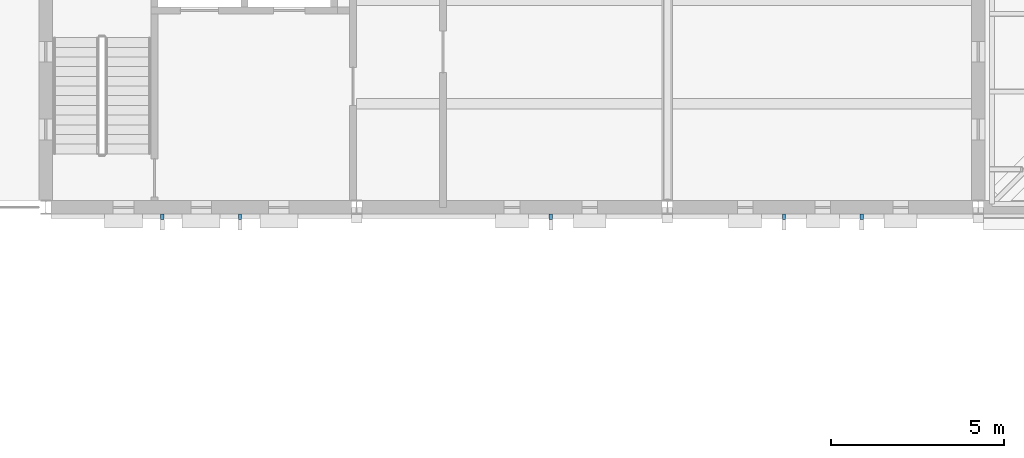
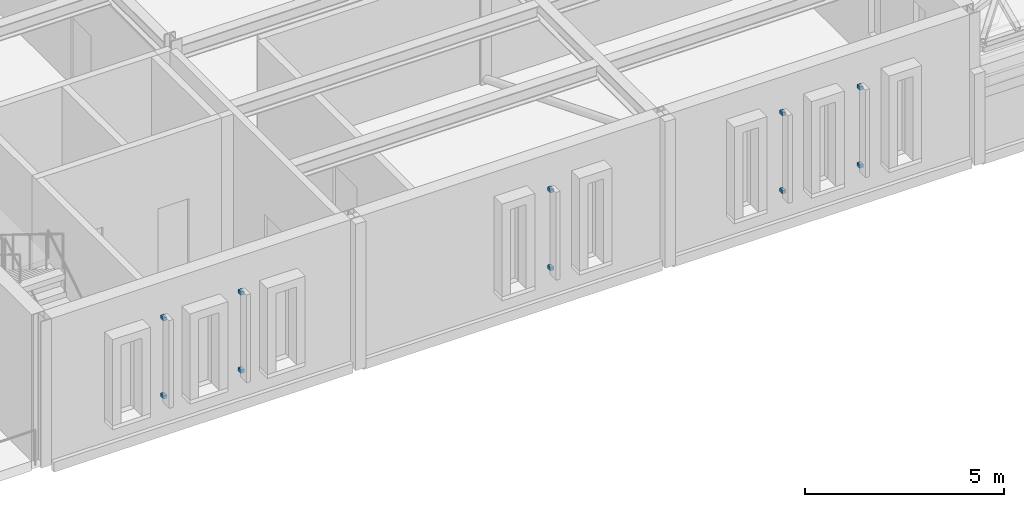
# One storey, part 106 of 149: 10 discrete accessories.
"""IFC4 building model written with IfcOpenShell, lengths in metres."""

from ifc_helpers import new_model, si_unit, direction, frame, origin, origin_2d, place, context, subcontext, project, spatial, rectangle, extrude, material, type_object, element, save


model = new_model("IFC4")

# Units and contexts
model_context = context("Model", 3, precision=1e-05, world=origin(), true_north=direction((0.0, 1.0)))
body_context = subcontext(model_context, "Body", "Model", "MODEL_VIEW")
ifc_project = project(units=[si_unit("LENGTHUNIT", "METRE"), si_unit("AREAUNIT", "SQUARE_METRE"), si_unit("VOLUMEUNIT", "CUBIC_METRE"), si_unit("PLANEANGLEUNIT", "RADIAN"), si_unit("MASSUNIT", "GRAM", prefix="KILO")], contexts=[model_context])

# Site, building, storey
site_placement = place(None, origin())
site = spatial("IfcSite", under=ifc_project, at=site_placement, CompositionType="ELEMENT")
building_placement = place(site_placement, origin())
building = spatial("IfcBuilding", under=site, at=building_placement, Name="Kallimachos Central Library", CompositionType="ELEMENT")
storey_placement = place(building_placement, frame((0.0, 0.0, 9.89990234375)))
storey = spatial("IfcBuildingStorey", under=building, at=storey_placement, Name="L02", CompositionType="ELEMENT", Elevation=9.89990234375)

# Discrete accessories
ifc_material = material(Name="Stainless steel", Category="steel")
discrete_accessory_type = type_object("IfcDiscreteAccessoryType", Name="Fin bracket", PredefinedType="BRACKET", material=ifc_material)
for number, where, z_axis, x_axis, name in (
    (1, (77.875, 17.72509765625, 1.0), (0.0, 0.0, 1.0), (1.0, 0.0, 0.0), "Fin bracket -L02-018"),
    (2, (77.875, 17.72509765625, 3.400146484375), (0.0, 0.0, 1.0), (1.0, 0.0, 0.0), "Fin bracket -L02-018"),
    (3, (80.125, 17.72509765625, 1.0), (0.0, 0.0, 1.0), (1.0, 0.0, 0.0), "Fin bracket -L02-018"),
    (4, (80.125, 17.72509765625, 3.400146484375), (0.0, 0.0, 1.0), (1.0, 0.0, 0.0), "Fin bracket -L02-018"),
    (5, (89.125, 17.72509765625, 1.0), (0.0, 0.0, 1.0), (1.0, 0.0, 0.0), "Fin bracket -L02-019"),
    (6, (89.125, 17.72509765625, 3.400146484375), (0.0, 0.0, 1.0), (1.0, 0.0, 0.0), "Fin bracket -L02-019"),
    (7, (95.875, 17.72509765625, 1.0), (0.0, 0.0, 1.0), (1.0, 0.0, 0.0), "Fin bracket -L02-020"),
    (8, (95.875, 17.72509765625, 3.400146484375), (0.0, 0.0, 1.0), (1.0, 0.0, 0.0), "Fin bracket -L02-020"),
    (9, (98.125, 17.72509765625, 1.0), (0.0, 0.0, 1.0), (1.0, 0.0, 0.0), "Fin bracket -L02-020"),
    (10, (98.125, 17.72509765625, 3.400146484375), (0.0, 0.0, 1.0), (1.0, 0.0, 0.0), "Fin bracket -L02-020"),
):
    element("IfcDiscreteAccessory", number, at=place(storey_placement, frame(where, z_axis=z_axis, x_axis=x_axis)), inside=storey, type_object=discrete_accessory_type, Name=name, PredefinedType="BRACKET", context=body_context, shape_type="SweptSolid", body=[
        extrude(rectangle(XDim=0.10009765625, YDim=0.14990234375, at=origin_2d()), origin(), (0.0, 0.0, 1.0), 0.10009765625),
    ])

save(model, "model.ifc")
